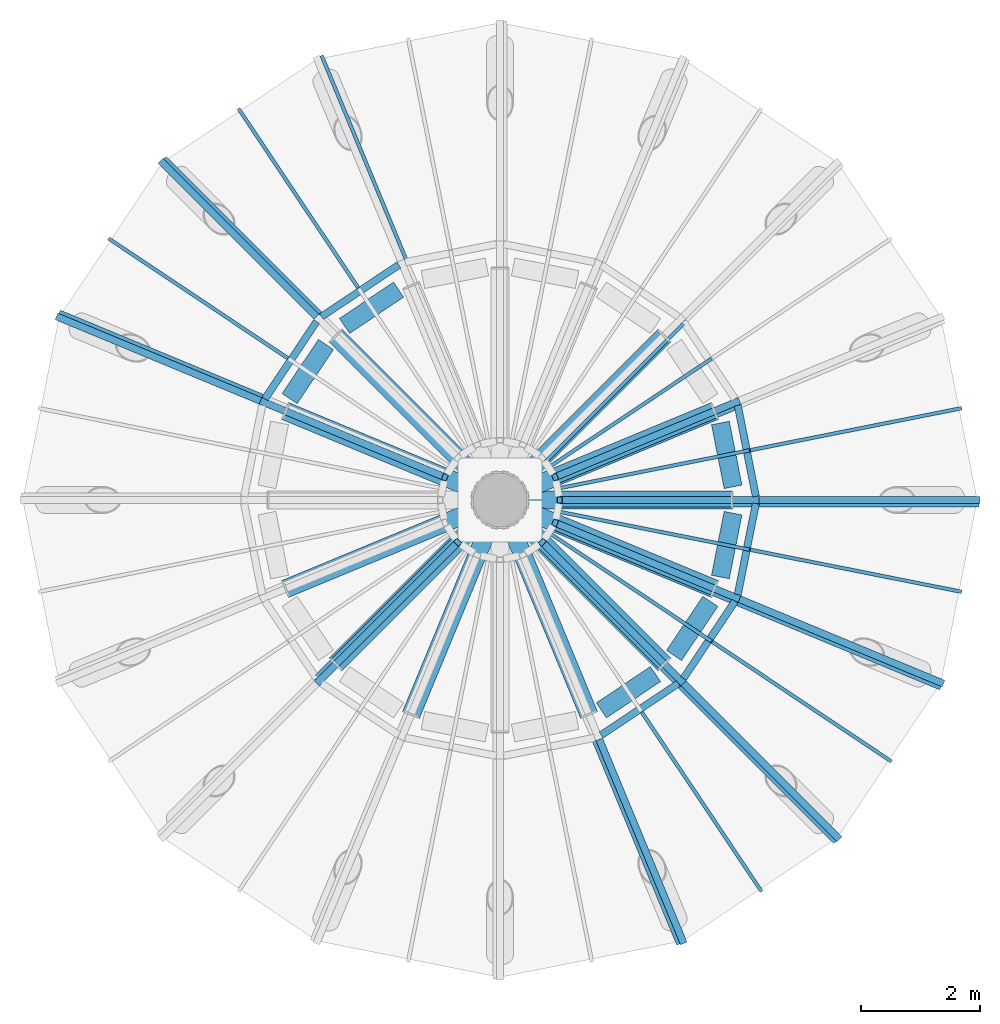
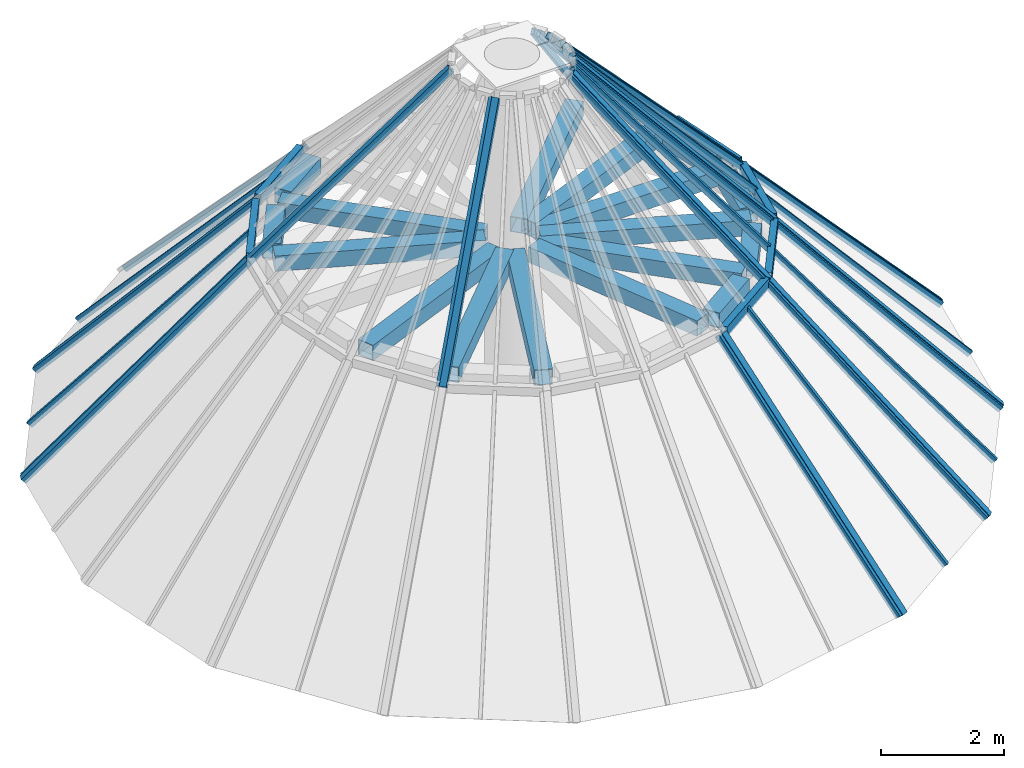
# One storey, part 2 of 5: 58 members, 17 elements without a shape of their own.
"""IFC4 building model written with IfcOpenShell, lengths in metres."""

from ifc_helpers import new_model, si_unit, direction, frame, origin, origin_2d, place, context, subcontext, project, spatial, rectangle, hollow_rectangle, extrude, material, material_profile, profile_set, type_object, element, aggregate, save


model = new_model("IFC4")

# Units and contexts
model_context = context("Model", 3, precision=1e-05, world=origin(), true_north=direction((0.0, 1.0)))
body_context = subcontext(model_context, "Body", "Model", "MODEL_VIEW")
ifc_project = project(units=[si_unit("LENGTHUNIT", "METRE"), si_unit("AREAUNIT", "SQUARE_METRE"), si_unit("VOLUMEUNIT", "CUBIC_METRE"), si_unit("PLANEANGLEUNIT", "RADIAN"), si_unit("MASSUNIT", "GRAM", prefix="KILO")], contexts=[model_context])

# Site, building, storey
site_placement = place(None, origin())
site = spatial("IfcSite", under=ifc_project, at=site_placement, CompositionType="ELEMENT")
building_placement = place(site_placement, origin())
building = spatial("IfcBuilding", under=site, at=building_placement, Name="Corvane Civic Tower", CompositionType="ELEMENT")
storey_placement = place(building_placement, frame((0.0, 0.0, 410.5)))
storey = spatial("IfcBuildingStorey", under=building, at=storey_placement, Name="Upper roof", CompositionType="ELEMENT", Elevation=410.5)

# Members
ifc_material_1 = material(Name="Steel ASTM A500 Gr C", Category="steel")
ifc_material_profile_1 = material_profile(ifc_material_1, hollow_rectangle(XDim=0.3046875, YDim=0.3046875, WallThickness=0.01171875, at=origin_2d()), Name="HSS12X12X1/2")
ifc_profile_set_1 = profile_set([ifc_material_profile_1], Name="Steel ASTM A500 Gr C")
member_type_1 = type_object("IfcMemberType", Name="CROWN HUB STRUT HSS12X12X1/2", PredefinedType="BRACE", material=ifc_profile_set_1)
member_1_placement = place(storey_placement, frame((2.7578125, 2.7578125, 4.0), z_axis=(-0.707106781187, -0.707106781187, 0.0), x_axis=(0.707106781187, -0.707106781187, 0.0)))
element("IfcMember", 1, at=member_1_placement, inside=storey, type_object=member_type_1, Name="Crown hub strut", PredefinedType="BRACE", context=body_context, shape_type="SweptSolid", body=[
    extrude(hollow_rectangle(XDim=0.3046875, YDim=0.3046875, WallThickness=0.01171875, at=origin_2d()), origin(), (0.0, 0.0, 1.0), 3.4541015625),
])
for number, where, z_axis, x_axis, name in (
    (2, (3.60302734375, 1.492431640625, 4.0), (-0.923873815861, -0.382697233288, 0.0), (0.382697233288, -0.923873815861, 0.0), "Crown hub strut"),
    (3, (3.89990234375, 0.0, 4.0), (-1.0, 0.0, 0.0), (0.0, -1.0, 0.0), "Crown hub strut"),
    (4, (3.60302734375, -1.492431640625, 4.0), (-0.923873815861, 0.382697233288, 0.0), (-0.382697233288, -0.923873815861, 0.0), "Crown hub strut"),
):
    element("IfcMember", number, at=place(storey_placement, frame(where, z_axis=z_axis, x_axis=x_axis)), inside=storey, type_object=member_type_1, Name=name, PredefinedType="BRACE", context=body_context, shape_type="SweptSolid", body=[
        extrude(hollow_rectangle(XDim=0.3046875, YDim=0.3046875, WallThickness=0.01171875, at=origin_2d()), origin(), (0.0, 0.0, 1.0), 3.453857421875),
    ])
member_2_placement = place(storey_placement, frame((2.7578125, -2.7578125, 4.0), z_axis=(-0.707106781187, 0.707106781187, 0.0), x_axis=(-0.707106781187, -0.707106781187, 0.0)))
element("IfcMember", 5, at=member_2_placement, inside=storey, type_object=member_type_1, Name="Crown hub strut", PredefinedType="BRACE", context=body_context, shape_type="SweptSolid", body=[
    extrude(hollow_rectangle(XDim=0.3046875, YDim=0.3046875, WallThickness=0.01171875, at=origin_2d()), origin(), (0.0, 0.0, 1.0), 3.4541015625),
])
for number, where, z_axis, x_axis, name in (
    (6, (1.492431640625, -3.60302734375, 4.0), (-0.382697233288, 0.923873815861, 0.0), (-0.923873815861, -0.382697233288, 0.0), "Crown hub strut"),
    (7, (-1.492431640625, -3.60302734375, 4.0), (0.382697233288, 0.923873815861, 0.0), (-0.923873815861, 0.382697233288, 0.0), "Crown hub strut"),
):
    element("IfcMember", number, at=place(storey_placement, frame(where, z_axis=z_axis, x_axis=x_axis)), inside=storey, type_object=member_type_1, Name=name, PredefinedType="BRACE", context=body_context, shape_type="SweptSolid", body=[
        extrude(hollow_rectangle(XDim=0.3046875, YDim=0.3046875, WallThickness=0.01171875, at=origin_2d()), origin(), (0.0, 0.0, 1.0), 3.453857421875),
    ])
member_3_placement = place(storey_placement, frame((-2.7578125, -2.7578125, 4.0), z_axis=(0.707106781187, 0.707106781187, 0.0), x_axis=(-0.707106781187, 0.707106781187, 0.0)))
element("IfcMember", 8, at=member_3_placement, inside=storey, type_object=member_type_1, Name="Crown hub strut", PredefinedType="BRACE", context=body_context, shape_type="SweptSolid", body=[
    extrude(hollow_rectangle(XDim=0.3046875, YDim=0.3046875, WallThickness=0.01171875, at=origin_2d()), origin(), (0.0, 0.0, 1.0), 3.4541015625),
])
for number, where, z_axis, x_axis, name in (
    (9, (-3.60302734375, -1.492431640625, 4.0), (0.923873815861, 0.382697233288, 0.0), (-0.382697233288, 0.923873815861, 0.0), "Crown hub strut"),
    (10, (-3.60302734375, 1.492431640625, 4.0), (0.923873815861, -0.382697233288, 0.0), (0.382697233288, 0.923873815861, 0.0), "Crown hub strut"),
):
    element("IfcMember", number, at=place(storey_placement, frame(where, z_axis=z_axis, x_axis=x_axis)), inside=storey, type_object=member_type_1, Name=name, PredefinedType="BRACE", context=body_context, shape_type="SweptSolid", body=[
        extrude(hollow_rectangle(XDim=0.3046875, YDim=0.3046875, WallThickness=0.01171875, at=origin_2d()), origin(), (0.0, 0.0, 1.0), 3.453857421875),
    ])
member_4_placement = place(storey_placement, frame((-2.7578125, 2.7578125, 4.0), z_axis=(0.707106781187, -0.707106781187, 0.0), x_axis=(0.707106781187, 0.707106781187, 0.0)))
element("IfcMember", 11, at=member_4_placement, inside=storey, type_object=member_type_1, Name="Crown hub strut", PredefinedType="BRACE", context=body_context, shape_type="SweptSolid", body=[
    extrude(hollow_rectangle(XDim=0.3046875, YDim=0.3046875, WallThickness=0.01171875, at=origin_2d()), origin(), (0.0, 0.0, 1.0), 3.4541015625),
])
ifc_material_2 = material(Name="Steel ASTM A500 Gr C", Category="steel")
ifc_material_profile_2 = material_profile(ifc_material_2, hollow_rectangle(XDim=0.3046875, YDim=0.3046875, WallThickness=0.01171875, at=origin_2d()), Name="HSS12X12X1/2")
ifc_profile_set_2 = profile_set([ifc_material_profile_2], Name="Steel ASTM A500 Gr C")
member_type_2 = type_object("IfcMemberType", Name="CROWN RING CHORD HSS12X12X1/2", PredefinedType="CHORD", material=ifc_profile_set_2)
for number, where, z_axis, x_axis, name in (
    (12, (3.693359375, 1.291015625, 4.0), (0.194868255055, -0.980829426135, 0.0), (0.980829426135, 0.194868255055, 0.0), "Crown compression ring"),
    (13, (3.906005859375, -0.220703125, 4.0), (-0.194868255055, -0.980829426135, 0.0), (0.980829426135, -0.194868255055, 0.0), "Crown compression ring"),
    (14, (3.5244140625, -1.69873046875, 4.0), (-0.555732344974, -0.831361269695, 0.0), (0.831361269695, -0.555732344974, 0.0), "Crown compression ring"),
    (15, (2.60595703125, -2.91796875, 4.0), (-0.831361269695, -0.555732344974, 0.0), (0.555732344974, -0.831361269695, 0.0), "Crown compression ring"),
    (16, (-3.5244140625, 1.69873046875, 4.0), (0.555732344974, 0.831361269695, 0.0), (-0.831361269695, 0.555732344974, 0.0), "Crown compression ring"),
    (17, (-2.60595703125, 2.91796875, 4.0), (0.831361269695, 0.555732344974, 0.0), (-0.555732344974, 0.831361269695, 0.0), "Crown compression ring"),
):
    element("IfcMember", number, at=place(storey_placement, frame(where, z_axis=z_axis, x_axis=x_axis)), inside=storey, type_object=member_type_2, Name=name, PredefinedType="CHORD", context=body_context, shape_type="SweptSolid", body=[
        extrude(hollow_rectangle(XDim=0.3046875, YDim=0.3046875, WallThickness=0.01171875, at=origin_2d()), origin(), (0.0, 0.0, 1.0), 1.09130859375),
    ])

# Curtain wall, member
ifc_material_3 = material(Name="Aluminium and glass", Category="aluminium")
curtain_wall_type = type_object("IfcCurtainWallType", Name="CROWN-CW-K-FACET", PredefinedType="NOTDEFINED", material=ifc_material_3)
curtain_wall_1_placement = place(storey_placement, origin())
curtain_wall_1 = element("IfcCurtainWall", 18, at=curtain_wall_1_placement, inside=storey, type_object=curtain_wall_type, Name="Glass cone facet 11 row 7", PredefinedType="NOTDEFINED")
ifc_material_4 = material(Name="Anodised aluminium bronze", Category="aluminium")
ifc_material_profile_3 = material_profile(ifc_material_4, rectangle(XDim=0.06005859375, YDim=0.1201171875, at=origin_2d()), Name="AL 60x120")
ifc_profile_set_3 = profile_set([ifc_material_profile_3], Name="Anodised aluminium bronze")
member_type_3 = type_object("IfcMemberType", Name="CROWN-CWK-MULLION-AL60x120", PredefinedType="MULLION", material=ifc_profile_set_3)
member_5_placement = place(storey_placement, frame((3.506591796875, -2.343017578125, 4.0), z_axis=(-0.564524922762, 0.37718643347, 0.734194801117), x_axis=(-0.555552860745, -0.831481219823, 0.0)))
member_5 = element("IfcMember", 19, at=member_5_placement, type_object=member_type_3, Name="Cone mullion 11.7M", PredefinedType="MULLION", context=body_context, shape_type="SweptSolid", body=[
    extrude(rectangle(XDim=0.06005859375, YDim=0.1201171875, at=origin_2d()), origin(), (0.0, 0.0, 1.0), 4.76708984375),
])

curtain_wall_2_placement = place(storey_placement, origin())
curtain_wall_2 = element("IfcCurtainWall", 20, at=curtain_wall_2_placement, inside=storey, type_object=curtain_wall_type, Name="Glass cone facet 12 row 7", PredefinedType="NOTDEFINED")
member_6_placement = place(storey_placement, frame((4.136474609375, -0.82275390625, 4.0), z_axis=(-0.665913717929, 0.132435043802, 0.734179732387), x_axis=(-0.195057125989, -0.98079188292, 0.0)))
member_6 = element("IfcMember", 21, at=member_6_placement, type_object=member_type_3, Name="Cone mullion 12.7M", PredefinedType="MULLION", context=body_context, shape_type="SweptSolid", body=[
    extrude(rectangle(XDim=0.06005859375, YDim=0.1201171875, at=origin_2d()), origin(), (0.0, 0.0, 1.0), 4.767333984375),
])

curtain_wall_3_placement = place(storey_placement, origin())
curtain_wall_3 = element("IfcCurtainWall", 22, at=curtain_wall_3_placement, inside=storey, type_object=curtain_wall_type, Name="Glass cone facet 13 row 7", PredefinedType="NOTDEFINED")
member_7_placement = place(storey_placement, frame((4.136474609375, 0.82275390625, 4.0), z_axis=(-0.665913717929, -0.132435043802, 0.734179732387), x_axis=(0.195057125989, -0.98079188292, 0.0)))
member_7 = element("IfcMember", 23, at=member_7_placement, type_object=member_type_3, Name="Cone mullion 13.7M", PredefinedType="MULLION", context=body_context, shape_type="SweptSolid", body=[
    extrude(rectangle(XDim=0.06005859375, YDim=0.1201171875, at=origin_2d()), origin(), (0.0, 0.0, 1.0), 4.767333984375),
])

curtain_wall_4_placement = place(storey_placement, origin())
curtain_wall_4 = element("IfcCurtainWall", 24, at=curtain_wall_4_placement, inside=storey, type_object=curtain_wall_type, Name="Glass cone facet 14 row 7", PredefinedType="NOTDEFINED")
member_8_placement = place(storey_placement, frame((3.506591796875, 2.343017578125, 4.0), z_axis=(-0.564524922762, -0.37718643347, 0.734194801117), x_axis=(0.555552860745, -0.831481219823, 0.0)))
member_8 = element("IfcMember", 25, at=member_8_placement, type_object=member_type_3, Name="Cone mullion 14.7M", PredefinedType="MULLION", context=body_context, shape_type="SweptSolid", body=[
    extrude(rectangle(XDim=0.06005859375, YDim=0.1201171875, at=origin_2d()), origin(), (0.0, 0.0, 1.0), 4.76708984375),
])

curtain_wall_5_placement = place(storey_placement, origin())
curtain_wall_5 = element("IfcCurtainWall", 26, at=curtain_wall_5_placement, inside=storey, type_object=curtain_wall_type, Name="Glass cone facet 1 row 6", PredefinedType="NOTDEFINED")
ifc_material_5 = material(Name="Steel ASTM A500 Gr C", Category="steel")
ifc_material_profile_4 = material_profile(ifc_material_5, hollow_rectangle(XDim=0.06005859375, YDim=0.1201171875, WallThickness=0.0048828125, at=origin_2d()), Name="RHS 120x60x5")
ifc_profile_set_4 = profile_set([ifc_material_profile_4], Name="Steel ASTM A500 Gr C")
member_type_4 = type_object("IfcMemberType", Name="CROWN-CWK-MULLION-RHS120x60x5", PredefinedType="MULLION", material=ifc_profile_set_4)
member_9_placement = place(storey_placement, frame((-2.973388671875, 7.40869140625, 0.0), z_axis=(0.259911695865, -0.627354519135, 0.734079163084), x_axis=(0.923851964071, 0.382749981687, 0.0)))
member_9 = element("IfcMember", 27, at=member_9_placement, type_object=member_type_4, Name="Cone mullion 1.6J", PredefinedType="MULLION", context=body_context, shape_type="SweptSolid", body=[
    extrude(hollow_rectangle(XDim=0.06005859375, YDim=0.1201171875, WallThickness=0.0048828125, at=origin_2d()), origin(), (0.0, 0.0, 1.0), 5.448974609375),
])
aggregate(curtain_wall_5, [member_9])

# Curtain wall, members
curtain_wall_6_placement = place(storey_placement, origin())
curtain_wall_6 = element("IfcCurtainWall", 28, at=curtain_wall_6_placement, inside=storey, type_object=curtain_wall_type, Name="Glass cone facet 2 row 6", PredefinedType="NOTDEFINED")
member_10_placement = place(storey_placement, frame((-4.359130859375, 6.52392578125, 0.0), z_axis=(0.373296598619, -0.55867917926, 0.740626237802), x_axis=(0.831470227207, 0.55556931275, 0.0)))
member_10 = element("IfcMember", 29, at=member_10_placement, type_object=member_type_4, Name="Cone mullion 2.6M", PredefinedType="MULLION", context=body_context, shape_type="SweptSolid", body=[
    extrude(hollow_rectangle(XDim=0.06005859375, YDim=0.1201171875, WallThickness=0.0048828125, at=origin_2d()), origin(), (0.0, 0.0, 1.0), 5.40087890625),
])
member_11_placement = place(storey_placement, frame((-5.581787109375, 5.706787109375, 0.0), z_axis=(0.480112388939, -0.480157196441, 0.734126120427), x_axis=(0.707139774994, 0.70707378584, 0.0)))
member_11 = element("IfcMember", 30, at=member_11_placement, type_object=member_type_4, Name="Cone mullion 2.6J", PredefinedType="MULLION", context=body_context, shape_type="SweptSolid", body=[
    extrude(hollow_rectangle(XDim=0.06005859375, YDim=0.1201171875, WallThickness=0.0048828125, at=origin_2d()), origin(), (0.0, 0.0, 1.0), 5.44873046875),
])

curtain_wall_7_placement = place(storey_placement, origin())
curtain_wall_7 = element("IfcCurtainWall", 31, at=curtain_wall_7_placement, inside=storey, type_object=curtain_wall_type, Name="Glass cone facet 3 row 6", PredefinedType="NOTDEFINED")
member_12_placement = place(storey_placement, frame((-6.52392578125, 4.359130859375, 0.0), z_axis=(0.55867917926, -0.373296598619, 0.740626237802), x_axis=(0.55556931275, 0.831470227207, 0.0)))
member_12 = element("IfcMember", 32, at=member_12_placement, type_object=member_type_4, Name="Cone mullion 3.6M", PredefinedType="MULLION", context=body_context, shape_type="SweptSolid", body=[
    extrude(hollow_rectangle(XDim=0.06005859375, YDim=0.1201171875, WallThickness=0.0048828125, at=origin_2d()), origin(), (0.0, 0.0, 1.0), 5.40087890625),
])
member_13_placement = place(storey_placement, frame((-7.341064453125, 3.136474609375, 0.0), z_axis=(0.627354519135, -0.259911695865, 0.734079163084), x_axis=(0.382749981687, 0.923851964071, 0.0)))
member_13 = element("IfcMember", 33, at=member_13_placement, type_object=member_type_4, Name="Cone mullion 3.6J", PredefinedType="MULLION", context=body_context, shape_type="SweptSolid", body=[
    extrude(hollow_rectangle(XDim=0.06005859375, YDim=0.1201171875, WallThickness=0.0048828125, at=origin_2d()), origin(), (0.0, 0.0, 1.0), 5.448974609375),
])

# Curtain wall, member
curtain_wall_8_placement = place(storey_placement, origin())
curtain_wall_8 = element("IfcCurtainWall", 34, at=curtain_wall_8_placement, inside=storey, type_object=curtain_wall_type, Name="Glass cone facet 9 row 6", PredefinedType="NOTDEFINED")
member_14_placement = place(storey_placement, frame((2.973388671875, -7.40869140625, 0.0), z_axis=(-0.259911695865, 0.627354519135, 0.734079163084), x_axis=(-0.923851964071, -0.382749981687, 0.0)))
member_14 = element("IfcMember", 35, at=member_14_placement, type_object=member_type_4, Name="Cone mullion 9.6J", PredefinedType="MULLION", context=body_context, shape_type="SweptSolid", body=[
    extrude(hollow_rectangle(XDim=0.06005859375, YDim=0.1201171875, WallThickness=0.0048828125, at=origin_2d()), origin(), (0.0, 0.0, 1.0), 5.448974609375),
])
aggregate(curtain_wall_8, [member_14])

# Curtain wall, members
curtain_wall_9_placement = place(storey_placement, origin())
curtain_wall_9 = element("IfcCurtainWall", 36, at=curtain_wall_9_placement, inside=storey, type_object=curtain_wall_type, Name="Glass cone facet 10 row 6", PredefinedType="NOTDEFINED")
member_15_placement = place(storey_placement, frame((4.359130859375, -6.52392578125, 0.0), z_axis=(-0.373296598619, 0.55867917926, 0.740626237802), x_axis=(-0.831470227207, -0.55556931275, 0.0)))
member_15 = element("IfcMember", 37, at=member_15_placement, type_object=member_type_4, Name="Cone mullion 10.6M", PredefinedType="MULLION", context=body_context, shape_type="SweptSolid", body=[
    extrude(hollow_rectangle(XDim=0.06005859375, YDim=0.1201171875, WallThickness=0.0048828125, at=origin_2d()), origin(), (0.0, 0.0, 1.0), 5.40087890625),
])
member_16_placement = place(storey_placement, frame((5.581787109375, -5.706787109375, 0.0), z_axis=(-0.480112388939, 0.480157196441, 0.734126120427), x_axis=(-0.707139774994, -0.70707378584, 0.0)))
member_16 = element("IfcMember", 38, at=member_16_placement, type_object=member_type_4, Name="Cone mullion 10.6J", PredefinedType="MULLION", context=body_context, shape_type="SweptSolid", body=[
    extrude(hollow_rectangle(XDim=0.06005859375, YDim=0.1201171875, WallThickness=0.0048828125, at=origin_2d()), origin(), (0.0, 0.0, 1.0), 5.44873046875),
])

curtain_wall_10_placement = place(storey_placement, origin())
curtain_wall_10 = element("IfcCurtainWall", 39, at=curtain_wall_10_placement, inside=storey, type_object=curtain_wall_type, Name="Glass cone facet 11 row 6", PredefinedType="NOTDEFINED")
member_17_placement = place(storey_placement, frame((6.52392578125, -4.359130859375, 0.0), z_axis=(-0.55867917926, 0.373296598619, 0.740626237802), x_axis=(-0.55556931275, -0.831470227207, 0.0)))
member_17 = element("IfcMember", 40, at=member_17_placement, type_object=member_type_4, Name="Cone mullion 11.6M", PredefinedType="MULLION", context=body_context, shape_type="SweptSolid", body=[
    extrude(hollow_rectangle(XDim=0.06005859375, YDim=0.1201171875, WallThickness=0.0048828125, at=origin_2d()), origin(), (0.0, 0.0, 1.0), 5.40087890625),
])
member_18_placement = place(storey_placement, frame((7.341064453125, -3.136474609375, 0.0), z_axis=(-0.627354519135, 0.259911695865, 0.734079163084), x_axis=(-0.382749981687, -0.923851964071, 0.0)))
member_18 = element("IfcMember", 41, at=member_18_placement, type_object=member_type_4, Name="Cone mullion 11.6J", PredefinedType="MULLION", context=body_context, shape_type="SweptSolid", body=[
    extrude(hollow_rectangle(XDim=0.06005859375, YDim=0.1201171875, WallThickness=0.0048828125, at=origin_2d()), origin(), (0.0, 0.0, 1.0), 5.448974609375),
])

curtain_wall_11_placement = place(storey_placement, origin())
curtain_wall_11 = element("IfcCurtainWall", 42, at=curtain_wall_11_placement, inside=storey, type_object=curtain_wall_type, Name="Glass cone facet 12 row 6", PredefinedType="NOTDEFINED")
member_19_placement = place(storey_placement, frame((7.695556640625, -1.53076171875, 0.0), z_axis=(-0.658995033147, 0.131093812329, 0.740634834893), x_axis=(-0.195106857875, -0.980781991071, 0.0)))
member_19 = element("IfcMember", 43, at=member_19_placement, type_object=member_type_4, Name="Cone mullion 12.6M", PredefinedType="MULLION", context=body_context, shape_type="SweptSolid", body=[
    extrude(hollow_rectangle(XDim=0.06005859375, YDim=0.1201171875, WallThickness=0.0048828125, at=origin_2d()), origin(), (0.0, 0.0, 1.0), 5.40087890625),
])
member_20_placement = place(storey_placement, frame((7.982421875, -0.08837890625, 0.0), z_axis=(-0.679037152378, 0.0, 0.734103906603), x_axis=(0.0, -1.0, 0.0)))
member_20 = element("IfcMember", 44, at=member_20_placement, type_object=member_type_4, Name="Cone mullion 12.6J", PredefinedType="MULLION", context=body_context, shape_type="SweptSolid", body=[
    extrude(hollow_rectangle(XDim=0.06005859375, YDim=0.1201171875, WallThickness=0.0048828125, at=origin_2d()), origin(), (0.0, 0.0, 1.0), 5.44873046875),
])

# Curtain wall, member
curtain_wall_12_placement = place(storey_placement, origin())
curtain_wall_12 = element("IfcCurtainWall", 45, at=curtain_wall_12_placement, inside=storey, type_object=curtain_wall_type, Name="Glass cone facet 13 row 6", PredefinedType="NOTDEFINED")
member_21_placement = place(storey_placement, frame((7.695556640625, 1.53076171875, 0.0), z_axis=(-0.658995033147, -0.131093812329, 0.740634834893), x_axis=(0.195106857875, -0.980781991071, 0.0)))
member_21 = element("IfcMember", 46, at=member_21_placement, type_object=member_type_4, Name="Cone mullion 13.6M", PredefinedType="MULLION", context=body_context, shape_type="SweptSolid", body=[
    extrude(hollow_rectangle(XDim=0.06005859375, YDim=0.1201171875, WallThickness=0.0048828125, at=origin_2d()), origin(), (0.0, 0.0, 1.0), 5.40087890625),
])

curtain_wall_13_placement = place(storey_placement, origin())
curtain_wall_13 = element("IfcCurtainWall", 47, at=curtain_wall_13_placement, inside=storey, type_object=curtain_wall_type, Name="Glass cone facet 6 row 7", PredefinedType="NOTDEFINED")
member_22_placement = place(storey_placement, frame((-3.090576171875, -2.9658203125, 4.0), z_axis=(0.485077219556, 0.485127970468, 0.727565078421), x_axis=(-0.707143768595, 0.707069791843, 0.0)))
member_22 = element("IfcMember", 48, at=member_22_placement, type_object=member_type_4, Name="Cone mullion 6.7J", PredefinedType="MULLION", context=body_context, shape_type="SweptSolid", body=[
    extrude(hollow_rectangle(XDim=0.06005859375, YDim=0.1201171875, WallThickness=0.0048828125, at=origin_2d()), origin(), (0.0, 0.0, 1.0), 4.810546875),
])
aggregate(curtain_wall_13, [member_22])

curtain_wall_14_placement = place(storey_placement, origin())
curtain_wall_14 = element("IfcCurtainWall", 49, at=curtain_wall_14_placement, inside=storey, type_object=curtain_wall_type, Name="Glass cone facet 10 row 7", PredefinedType="NOTDEFINED")
member_23_placement = place(storey_placement, frame((2.9658203125, -3.090576171875, 4.0), z_axis=(-0.485127970468, 0.485077219556, 0.727565078421), x_axis=(-0.707069791843, -0.707143768595, 0.0)))
member_23 = element("IfcMember", 50, at=member_23_placement, type_object=member_type_4, Name="Cone mullion 10.7J", PredefinedType="MULLION", context=body_context, shape_type="SweptSolid", body=[
    extrude(hollow_rectangle(XDim=0.06005859375, YDim=0.1201171875, WallThickness=0.0048828125, at=origin_2d()), origin(), (0.0, 0.0, 1.0), 4.810546875),
])
aggregate(curtain_wall_14, [member_23])

# Member
member_24_placement = place(storey_placement, frame((3.922607421875, -1.72021484375, 4.0), z_axis=(-0.633801975336, 0.262493899458, 0.72759329904), x_axis=(-0.382639293348, -0.923897814256, 0.0)))
member_24 = element("IfcMember", 51, at=member_24_placement, type_object=member_type_4, Name="Cone mullion 11.7J", PredefinedType="MULLION", context=body_context, shape_type="SweptSolid", body=[
    extrude(hollow_rectangle(XDim=0.06005859375, YDim=0.1201171875, WallThickness=0.0048828125, at=origin_2d()), origin(), (0.0, 0.0, 1.0), 4.810302734375),
])

member_25_placement = place(storey_placement, frame((4.282470703125, -0.08837890625, 4.0), z_axis=(-0.686018242181, 0.0, 0.727584339713), x_axis=(0.0, -1.0, 0.0)))
member_25 = element("IfcMember", 52, at=member_25_placement, type_object=member_type_4, Name="Cone mullion 12.7J", PredefinedType="MULLION", context=body_context, shape_type="SweptSolid", body=[
    extrude(hollow_rectangle(XDim=0.06005859375, YDim=0.1201171875, WallThickness=0.0048828125, at=origin_2d()), origin(), (0.0, 0.0, 1.0), 4.810546875),
])

member_26_placement = place(storey_placement, frame((3.990234375, 1.55712890625, 4.0), z_axis=(-0.633793530974, -0.262541154367, 0.727583605065), x_axis=(0.382702441477, -0.92387165845, 0.0)))
member_26 = element("IfcMember", 53, at=member_26_placement, type_object=member_type_4, Name="Cone mullion 13.7J", PredefinedType="MULLION", context=body_context, shape_type="SweptSolid", body=[
    extrude(hollow_rectangle(XDim=0.06005859375, YDim=0.1201171875, WallThickness=0.0048828125, at=origin_2d()), origin(), (0.0, 0.0, 1.0), 4.810546875),
])

member_27_placement = place(storey_placement, frame((3.090576171875, 2.9658203125, 4.0), z_axis=(-0.485077219556, -0.485127970468, 0.727565078421), x_axis=(0.707143768595, -0.707069791843, 0.0)))
member_27 = element("IfcMember", 54, at=member_27_placement, type_object=member_type_4, Name="Cone mullion 14.7J", PredefinedType="MULLION", context=body_context, shape_type="SweptSolid", body=[
    extrude(hollow_rectangle(XDim=0.06005859375, YDim=0.1201171875, WallThickness=0.0048828125, at=origin_2d()), origin(), (0.0, 0.0, 1.0), 4.810546875),
])

ifc_material_6 = material(Name="Steel ASTM A500 Gr C", Category="steel")
ifc_material_profile_5 = material_profile(ifc_material_6, hollow_rectangle(XDim=0.1201171875, YDim=0.1201171875, WallThickness=0.006103515625, at=origin_2d()), Name="RHS 120x120x6")
ifc_profile_set_5 = profile_set([ifc_material_profile_5], Name="Steel ASTM A500 Gr C")
member_type_5 = type_object("IfcMemberType", Name="CROWN-CWK-RIB-RHS120x120x6", PredefinedType="MULLION", material=ifc_profile_set_5)
member_28_placement = place(storey_placement, frame((-5.65673828125, 5.65673828125, 0.0), z_axis=(0.480146866845, -0.480146866845, 0.734110327211), x_axis=(0.707106781187, 0.707106781187, 0.0)))
member_28 = element("IfcMember", 55, at=member_28_placement, type_object=member_type_5, Name="Cone rib 3.6", PredefinedType="MULLION", context=body_context, shape_type="SweptSolid", body=[
    extrude(hollow_rectangle(XDim=0.1201171875, YDim=0.1201171875, WallThickness=0.006103515625, at=origin_2d()), origin(), (0.0, 0.0, 1.0), 5.44873046875),
])

# Curtain wall, member
curtain_wall_15_placement = place(storey_placement, origin())
curtain_wall_15 = element("IfcCurtainWall", 56, at=curtain_wall_15_placement, inside=storey, type_object=curtain_wall_type, Name="Glass cone facet 4 row 6", PredefinedType="NOTDEFINED")
member_29_placement = place(storey_placement, frame((-7.39111328125, 3.0615234375, 0.0), z_axis=(0.627361824332, -0.259869917235, 0.734087711031), x_axis=(0.382693665462, 0.923875293758, 0.0)))
member_29 = element("IfcMember", 57, at=member_29_placement, type_object=member_type_5, Name="Cone rib 4.6", PredefinedType="MULLION", context=body_context, shape_type="SweptSolid", body=[
    extrude(hollow_rectangle(XDim=0.1201171875, YDim=0.1201171875, WallThickness=0.006103515625, at=origin_2d()), origin(), (0.0, 0.0, 1.0), 5.448974609375),
])
aggregate(curtain_wall_15, [member_29])

# Member
member_30_placement = place(storey_placement, frame((3.0615234375, -7.39111328125, 0.0), z_axis=(-0.259869917235, 0.627361824332, 0.734087711031), x_axis=(-0.923875293758, -0.382693665462, 0.0)))
member_30 = element("IfcMember", 58, at=member_30_placement, type_object=member_type_5, Name="Cone rib 10.6", PredefinedType="MULLION", context=body_context, shape_type="SweptSolid", body=[
    extrude(hollow_rectangle(XDim=0.1201171875, YDim=0.1201171875, WallThickness=0.006103515625, at=origin_2d()), origin(), (0.0, 0.0, 1.0), 5.448974609375),
])

member_31_placement = place(storey_placement, frame((5.65673828125, -5.65673828125, 0.0), z_axis=(-0.480146866845, 0.480146866845, 0.734110327211), x_axis=(-0.707106781187, -0.707106781187, 0.0)))
member_31 = element("IfcMember", 59, at=member_31_placement, type_object=member_type_5, Name="Cone rib 11.6", PredefinedType="MULLION", context=body_context, shape_type="SweptSolid", body=[
    extrude(hollow_rectangle(XDim=0.1201171875, YDim=0.1201171875, WallThickness=0.006103515625, at=origin_2d()), origin(), (0.0, 0.0, 1.0), 5.44873046875),
])

member_32_placement = place(storey_placement, frame((7.39111328125, -3.0615234375, 0.0), z_axis=(-0.627361824332, 0.259869917235, 0.734087711031), x_axis=(-0.382693665462, -0.923875293758, 0.0)))
member_32 = element("IfcMember", 60, at=member_32_placement, type_object=member_type_5, Name="Cone rib 12.6", PredefinedType="MULLION", context=body_context, shape_type="SweptSolid", body=[
    extrude(hollow_rectangle(XDim=0.1201171875, YDim=0.1201171875, WallThickness=0.006103515625, at=origin_2d()), origin(), (0.0, 0.0, 1.0), 5.448974609375),
])

member_33_placement = place(storey_placement, frame((8.0, 0.0, 0.0), z_axis=(-0.679037152378, 0.0, 0.734103906603), x_axis=(0.0, -1.0, 0.0)))
member_33 = element("IfcMember", 61, at=member_33_placement, type_object=member_type_5, Name="Cone rib 13.6", PredefinedType="MULLION", context=body_context, shape_type="SweptSolid", body=[
    extrude(hollow_rectangle(XDim=0.1201171875, YDim=0.1201171875, WallThickness=0.006103515625, at=origin_2d()), origin(), (0.0, 0.0, 1.0), 5.44873046875),
])

# Curtain wall, member
curtain_wall_16_placement = place(storey_placement, origin())
curtain_wall_16 = element("IfcCurtainWall", 62, at=curtain_wall_16_placement, inside=storey, type_object=curtain_wall_type, Name="Glass cone facet 4 row 7", PredefinedType="NOTDEFINED")
member_34_placement = place(storey_placement, frame((-3.97265625, 1.6455078125, 4.0), z_axis=(0.633793530974, -0.262541154367, 0.727583605065), x_axis=(0.382702441477, 0.92387165845, 0.0)))
member_34 = element("IfcMember", 63, at=member_34_placement, type_object=member_type_5, Name="Cone rib 4.7", PredefinedType="MULLION", context=body_context, shape_type="SweptSolid", body=[
    extrude(hollow_rectangle(XDim=0.1201171875, YDim=0.1201171875, WallThickness=0.006103515625, at=origin_2d()), origin(), (0.0, 0.0, 1.0), 4.810546875),
])
aggregate(curtain_wall_16, [member_34])

curtain_wall_17_placement = place(storey_placement, origin())
curtain_wall_17 = element("IfcCurtainWall", 64, at=curtain_wall_17_placement, inside=storey, type_object=curtain_wall_type, Name="Glass cone facet 7 row 7", PredefinedType="NOTDEFINED")
member_35_placement = place(storey_placement, frame((-3.04052734375, -3.04052734375, 4.0), z_axis=(0.485089162306, 0.485089162306, 0.727582991298), x_axis=(-0.707106781187, 0.707106781187, 0.0)))
member_35 = element("IfcMember", 65, at=member_35_placement, type_object=member_type_5, Name="Cone rib 7.7", PredefinedType="MULLION", context=body_context, shape_type="SweptSolid", body=[
    extrude(hollow_rectangle(XDim=0.1201171875, YDim=0.1201171875, WallThickness=0.006103515625, at=origin_2d()), origin(), (0.0, 0.0, 1.0), 4.810546875),
])
aggregate(curtain_wall_17, [member_35])

# Member
member_36_placement = place(storey_placement, frame((3.04052734375, -3.04052734375, 4.0), z_axis=(-0.485089162306, 0.485089162306, 0.727582991298), x_axis=(-0.707106781187, -0.707106781187, 0.0)))
member_36 = element("IfcMember", 66, at=member_36_placement, type_object=member_type_5, Name="Cone rib 11.7", PredefinedType="MULLION", context=body_context, shape_type="SweptSolid", body=[
    extrude(hollow_rectangle(XDim=0.1201171875, YDim=0.1201171875, WallThickness=0.006103515625, at=origin_2d()), origin(), (0.0, 0.0, 1.0), 4.810546875),
])

aggregate(curtain_wall_1, [member_36, member_5, member_24])

member_37_placement = place(storey_placement, frame((3.97265625, -1.6455078125, 4.0), z_axis=(-0.633793530974, 0.262541154367, 0.727583605065), x_axis=(-0.382702441477, -0.92387165845, 0.0)))
member_37 = element("IfcMember", 67, at=member_37_placement, type_object=member_type_5, Name="Cone rib 12.7", PredefinedType="MULLION", context=body_context, shape_type="SweptSolid", body=[
    extrude(hollow_rectangle(XDim=0.1201171875, YDim=0.1201171875, WallThickness=0.006103515625, at=origin_2d()), origin(), (0.0, 0.0, 1.0), 4.810546875),
])

aggregate(curtain_wall_2, [member_37, member_6, member_25])

member_38_placement = place(storey_placement, frame((4.300048828125, 0.0, 4.0), z_axis=(-0.686018242181, 0.0, 0.727584339713), x_axis=(0.0, -1.0, 0.0)))
member_38 = element("IfcMember", 68, at=member_38_placement, type_object=member_type_5, Name="Cone rib 13.7", PredefinedType="MULLION", context=body_context, shape_type="SweptSolid", body=[
    extrude(hollow_rectangle(XDim=0.1201171875, YDim=0.1201171875, WallThickness=0.006103515625, at=origin_2d()), origin(), (0.0, 0.0, 1.0), 4.810546875),
])

aggregate(curtain_wall_3, [member_38, member_7, member_26])

member_39_placement = place(storey_placement, frame((3.97265625, 1.6455078125, 4.0), z_axis=(-0.633793530974, -0.262541154367, 0.727583605065), x_axis=(0.382702441477, -0.92387165845, 0.0)))
member_39 = element("IfcMember", 69, at=member_39_placement, type_object=member_type_5, Name="Cone rib 14.7", PredefinedType="MULLION", context=body_context, shape_type="SweptSolid", body=[
    extrude(hollow_rectangle(XDim=0.1201171875, YDim=0.1201171875, WallThickness=0.006103515625, at=origin_2d()), origin(), (0.0, 0.0, 1.0), 4.810546875),
])

aggregate(curtain_wall_4, [member_39, member_8, member_27])

ifc_material_7 = material(Name="Steel ASTM A500 Gr C", Category="steel")
ifc_material_profile_6 = material_profile(ifc_material_7, hollow_rectangle(XDim=0.1201171875, YDim=0.199951171875, WallThickness=0.006103515625, at=origin_2d()), Name="RHS 200x120x6")
ifc_profile_set_6 = profile_set([ifc_material_profile_6], Name="Steel ASTM A500 Gr C")
member_type_6 = type_object("IfcMemberType", Name="CROWN-CWK-RING-RHS200x120x6", PredefinedType="USERDEFINED", material=ifc_profile_set_6)
member_40_placement = place(storey_placement, frame((-1.6953125, 3.939208984375, 4.0), z_axis=(-0.831519400446, -0.555495712569, 0.0), x_axis=(0.555495712569, -0.831519400446, 0.0)))
member_40 = element("IfcMember", 70, at=member_40_placement, type_object=member_type_6, Name="Cone ring member 2.6", ObjectType="TRANSOM", PredefinedType="USERDEFINED", context=body_context, shape_type="SweptSolid", body=[
    extrude(hollow_rectangle(XDim=0.1201171875, YDim=0.199951171875, WallThickness=0.006103515625, at=origin_2d()), origin(), (0.0, 0.0, 1.0), 1.5576171875),
])

aggregate(curtain_wall_6, [member_40, member_10, member_11])

member_41_placement = place(storey_placement, frame((-3.073974609375, 2.990478515625, 4.0), z_axis=(-0.555495712569, -0.831519400446, 0.0), x_axis=(0.831519400446, -0.555495712569, 0.0)))
member_41 = element("IfcMember", 71, at=member_41_placement, type_object=member_type_6, Name="Cone ring member 3.6", ObjectType="TRANSOM", PredefinedType="USERDEFINED", context=body_context, shape_type="SweptSolid", body=[
    extrude(hollow_rectangle(XDim=0.1201171875, YDim=0.199951171875, WallThickness=0.006103515625, at=origin_2d()), origin(), (0.0, 0.0, 1.0), 1.5576171875),
])

aggregate(curtain_wall_7, [member_28, member_41, member_12, member_13])

member_42_placement = place(storey_placement, frame((1.6953125, -3.939208984375, 4.0), z_axis=(0.831519400446, 0.555495712569, 0.0), x_axis=(-0.555495712569, 0.831519400446, 0.0)))
member_42 = element("IfcMember", 72, at=member_42_placement, type_object=member_type_6, Name="Cone ring member 10.6", ObjectType="TRANSOM", PredefinedType="USERDEFINED", context=body_context, shape_type="SweptSolid", body=[
    extrude(hollow_rectangle(XDim=0.1201171875, YDim=0.199951171875, WallThickness=0.006103515625, at=origin_2d()), origin(), (0.0, 0.0, 1.0), 1.5576171875),
])

aggregate(curtain_wall_9, [member_30, member_42, member_15, member_16])

member_43_placement = place(storey_placement, frame((3.073974609375, -2.990478515625, 4.0), z_axis=(0.555495712569, 0.831519400446, 0.0), x_axis=(-0.831519400446, 0.555495712569, 0.0)))
member_43 = element("IfcMember", 73, at=member_43_placement, type_object=member_type_6, Name="Cone ring member 11.6", ObjectType="TRANSOM", PredefinedType="USERDEFINED", context=body_context, shape_type="SweptSolid", body=[
    extrude(hollow_rectangle(XDim=0.1201171875, YDim=0.199951171875, WallThickness=0.006103515625, at=origin_2d()), origin(), (0.0, 0.0, 1.0), 1.5576171875),
])

aggregate(curtain_wall_10, [member_31, member_43, member_17, member_18])

member_44_placement = place(storey_placement, frame((3.984375, -1.586669921875, 4.0), z_axis=(0.195121439339, 0.98077909027, 0.0), x_axis=(-0.98077909027, 0.195121439339, 0.0)))
member_44 = element("IfcMember", 74, at=member_44_placement, type_object=member_type_6, Name="Cone ring member 12.6", ObjectType="TRANSOM", PredefinedType="USERDEFINED", context=body_context, shape_type="SweptSolid", body=[
    extrude(hollow_rectangle(XDim=0.1201171875, YDim=0.199951171875, WallThickness=0.006103515625, at=origin_2d()), origin(), (0.0, 0.0, 1.0), 1.557861328125),
])

aggregate(curtain_wall_11, [member_32, member_44, member_19, member_20])

member_45_placement = place(storey_placement, frame((4.288330078125, 0.058837890625, 4.0), z_axis=(-0.195121439339, 0.98077909027, 0.0), x_axis=(-0.98077909027, -0.195121439339, 0.0)))
member_45 = element("IfcMember", 75, at=member_45_placement, type_object=member_type_6, Name="Cone ring member 13.6", ObjectType="TRANSOM", PredefinedType="USERDEFINED", context=body_context, shape_type="SweptSolid", body=[
    extrude(hollow_rectangle(XDim=0.1201171875, YDim=0.199951171875, WallThickness=0.006103515625, at=origin_2d()), origin(), (0.0, 0.0, 1.0), 1.557861328125),
])

aggregate(curtain_wall_12, [member_33, member_45, member_21])

save(model, "model.ifc")
